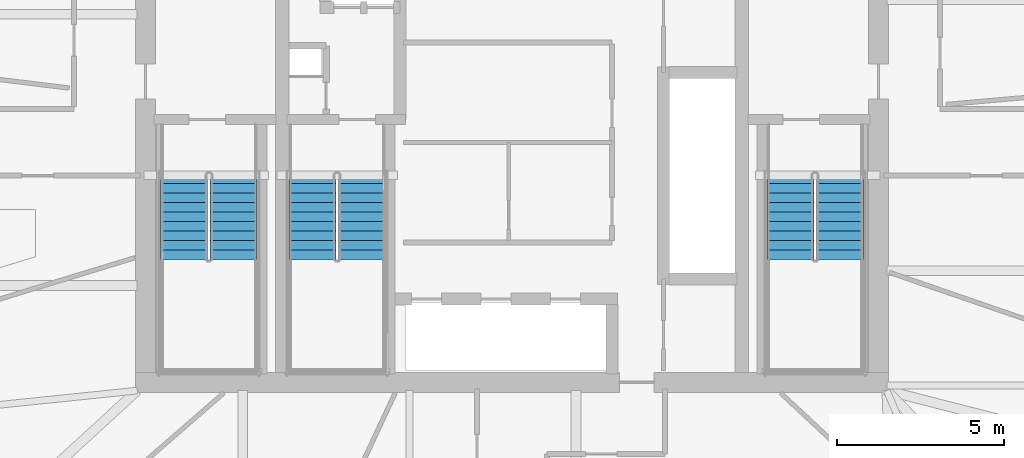
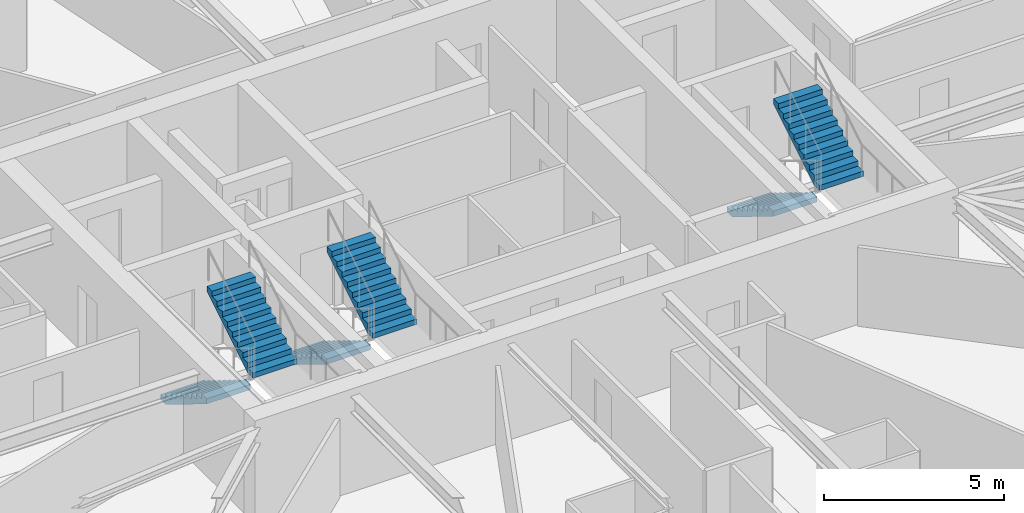
# One storey, part 17 of 20: 6 stair flights, 3 elements without a shape of their own.
"""IFC4 building model written with IfcOpenShell, lengths in metres."""

from ifc_helpers import new_model, si_unit, direction, frame, origin, place, context, subcontext, project, spatial, polyline, outline, extrude, material, type_object, element, aggregate, save


model = new_model("IFC4")

# Units and contexts
model_context = context("Model", 3, precision=1e-05, world=origin(), true_north=direction((0.0, 1.0)))
body_context = subcontext(model_context, "Body", "Model", "MODEL_VIEW")
ifc_project = project(units=[si_unit("LENGTHUNIT", "METRE"), si_unit("AREAUNIT", "SQUARE_METRE"), si_unit("VOLUMEUNIT", "CUBIC_METRE"), si_unit("PLANEANGLEUNIT", "RADIAN"), si_unit("MASSUNIT", "GRAM", prefix="KILO")], contexts=[model_context])

# Site, building, storey
site_placement = place(None, origin())
site = spatial("IfcSite", under=ifc_project, at=site_placement, CompositionType="ELEMENT")
building_placement = place(site_placement, origin())
building = spatial("IfcBuilding", under=site, at=building_placement, Name="Bramvorn Convention Spire", CompositionType="ELEMENT")
storey_placement = place(building_placement, frame((0.0, 0.0, 106.300048828125)))
storey = spatial("IfcBuildingStorey", under=building, at=storey_placement, Name="L25", CompositionType="ELEMENT", Elevation=106.300048828125)

# Stair, stair flights
ifc_material_1 = material(Name="Concrete C40/50 Precast Stair", Category="concrete")
stair_type = type_object("IfcStairType", Name="ST-TOWER-1550", PredefinedType="HALF_TURN_STAIR", material=ifc_material_1)
stair_1_placement = place(storey_placement, origin())
stair_1 = element("IfcStair", 1, at=stair_1_placement, inside=storey, type_object=stair_type, Name="L25 Protected Exit Stair ST1", PredefinedType="HALF_TURN_STAIR")
ifc_material_2 = material(Name="Concrete C40/50 Precast Stair Flight", Category="concrete")
stair_flight_type = type_object("IfcStairFlightType", Name="STF-TOWER-1550", PredefinedType="STRAIGHT", material=ifc_material_2)
stair_flight_1_placement = place(storey_placement, frame((28.155029296875, 25.050048828125, 0.0), z_axis=(0.0, 0.0, 1.0), x_axis=(0.0, -1.0, 0.0)))
stair_flight_1 = element("IfcStairFlight", 2, at=stair_flight_1_placement, type_object=stair_flight_type, Name="ST1 flight 1", NumberOfRisers=10, NumberOfTreads=9, PredefinedType="STRAIGHT", RiserHeight=0.175, TreadLength=0.285, context=body_context, shape_type="SweptSolid", body=[
    extrude(outline(polyline([(0.0, 0.0), (0.0, 0.175048828125), (0.284912109375, 0.175048828125), (0.284912109375, 0.35009765625), (0.570068359375, 0.35009765625), (0.570068359375, 0.52490234375), (0.85498046875, 0.52490234375), (0.85498046875, 0.699951171875), (1.139892578125, 0.699951171875), (1.139892578125, 0.875), (1.425048828125, 0.875), (1.425048828125, 1.050048828125), (1.7099609375, 1.050048828125), (1.7099609375, 1.22509765625), (1.9951171875, 1.22509765625), (1.9951171875, 1.39990234375), (2.280029296875, 1.39990234375), (2.280029296875, 1.574951171875), (2.56494140625, 1.574951171875), (2.56494140625, 1.75), (2.56494140625, 1.399169921875), (0.286376953125, 0.0), (0.0, 0.0)])), frame((0.0, 0.705078125, 0.0), z_axis=(0.0, -1.0, 0.0), x_axis=(1.0, 0.0, 0.0)), (0.0, 0.0, 1.0), 1.409912109375),
])
stair_flight_2_placement = place(storey_placement, frame((29.64501953125, 22.485107421875, 1.75), z_axis=(0.0, 0.0, 1.0), x_axis=(0.0, 1.0, 0.0)))
stair_flight_2 = element("IfcStairFlight", 3, at=stair_flight_2_placement, type_object=stair_flight_type, Name="ST1 flight 2", NumberOfRisers=10, NumberOfTreads=9, PredefinedType="STRAIGHT", RiserHeight=0.175, TreadLength=0.285, context=body_context, shape_type="SweptSolid", body=[
    extrude(outline(polyline([(0.0, 0.0), (0.0, 0.175048828125), (0.284912109375, 0.175048828125), (0.284912109375, 0.35009765625), (0.570068359375, 0.35009765625), (0.570068359375, 0.52490234375), (0.85498046875, 0.52490234375), (0.85498046875, 0.699951171875), (1.139892578125, 0.699951171875), (1.139892578125, 0.875), (1.425048828125, 0.875), (1.425048828125, 1.050048828125), (1.7099609375, 1.050048828125), (1.7099609375, 1.22509765625), (1.9951171875, 1.22509765625), (1.9951171875, 1.39990234375), (2.280029296875, 1.39990234375), (2.280029296875, 1.574951171875), (2.56494140625, 1.574951171875), (2.56494140625, 1.75), (2.56494140625, 1.399169921875), (0.286376953125, 0.0), (0.0, 0.0)])), frame((0.0, 0.705078125, 0.0), z_axis=(0.0, -1.0, 0.0), x_axis=(1.0, 0.0, 0.0)), (0.0, 0.0, 1.0), 1.409912109375),
])
aggregate(stair_1, [stair_flight_1, stair_flight_2])

stair_2_placement = place(storey_placement, origin())
stair_2 = element("IfcStair", 4, at=stair_2_placement, inside=storey, type_object=stair_type, Name="L25 Protected Exit Stair ST2", PredefinedType="HALF_TURN_STAIR")
stair_flight_3_placement = place(storey_placement, frame((46.35498046875, 25.050048828125, 0.0), z_axis=(0.0, 0.0, 1.0), x_axis=(0.0, -1.0, 0.0)))
stair_flight_3 = element("IfcStairFlight", 5, at=stair_flight_3_placement, type_object=stair_flight_type, Name="ST2 flight 1", NumberOfRisers=10, NumberOfTreads=9, PredefinedType="STRAIGHT", RiserHeight=0.175, TreadLength=0.285, context=body_context, shape_type="SweptSolid", body=[
    extrude(outline(polyline([(0.0, 0.0), (0.0, 0.175048828125), (0.284912109375, 0.175048828125), (0.284912109375, 0.35009765625), (0.570068359375, 0.35009765625), (0.570068359375, 0.52490234375), (0.85498046875, 0.52490234375), (0.85498046875, 0.699951171875), (1.139892578125, 0.699951171875), (1.139892578125, 0.875), (1.425048828125, 0.875), (1.425048828125, 1.050048828125), (1.7099609375, 1.050048828125), (1.7099609375, 1.22509765625), (1.9951171875, 1.22509765625), (1.9951171875, 1.39990234375), (2.280029296875, 1.39990234375), (2.280029296875, 1.574951171875), (2.56494140625, 1.574951171875), (2.56494140625, 1.75), (2.56494140625, 1.399169921875), (0.286376953125, 0.0), (0.0, 0.0)])), frame((0.0, 0.705078125, 0.0), z_axis=(0.0, -1.0, 0.0), x_axis=(1.0, 0.0, 0.0)), (0.0, 0.0, 1.0), 1.409912109375),
])
stair_flight_4_placement = place(storey_placement, frame((47.844970703125, 22.485107421875, 1.75), z_axis=(0.0, 0.0, 1.0), x_axis=(0.0, 1.0, 0.0)))
stair_flight_4 = element("IfcStairFlight", 6, at=stair_flight_4_placement, type_object=stair_flight_type, Name="ST2 flight 2", NumberOfRisers=10, NumberOfTreads=9, PredefinedType="STRAIGHT", RiserHeight=0.175, TreadLength=0.285, context=body_context, shape_type="SweptSolid", body=[
    extrude(outline(polyline([(0.0, 0.0), (0.0, 0.175048828125), (0.284912109375, 0.175048828125), (0.284912109375, 0.35009765625), (0.570068359375, 0.35009765625), (0.570068359375, 0.52490234375), (0.85498046875, 0.52490234375), (0.85498046875, 0.699951171875), (1.139892578125, 0.699951171875), (1.139892578125, 0.875), (1.425048828125, 0.875), (1.425048828125, 1.050048828125), (1.7099609375, 1.050048828125), (1.7099609375, 1.22509765625), (1.9951171875, 1.22509765625), (1.9951171875, 1.39990234375), (2.280029296875, 1.39990234375), (2.280029296875, 1.574951171875), (2.56494140625, 1.574951171875), (2.56494140625, 1.75), (2.56494140625, 1.399169921875), (0.286376953125, 0.0), (0.0, 0.0)])), frame((0.0, 0.705078125, 0.0), z_axis=(0.0, -1.0, 0.0), x_axis=(1.0, 0.0, 0.0)), (0.0, 0.0, 1.0), 1.409912109375),
])
aggregate(stair_2, [stair_flight_3, stair_flight_4])

stair_3_placement = place(storey_placement, origin())
stair_3 = element("IfcStair", 7, at=stair_3_placement, inside=storey, type_object=stair_type, Name="L25 Protected Exit Stair ST3", PredefinedType="HALF_TURN_STAIR")
stair_flight_5_placement = place(storey_placement, frame((32.0048828125, 25.050048828125, 0.0), z_axis=(0.0, 0.0, 1.0), x_axis=(0.0, -1.0, 0.0)))
stair_flight_5 = element("IfcStairFlight", 8, at=stair_flight_5_placement, type_object=stair_flight_type, Name="ST3 flight 1", NumberOfRisers=10, NumberOfTreads=9, PredefinedType="STRAIGHT", RiserHeight=0.175, TreadLength=0.285, context=body_context, shape_type="SweptSolid", body=[
    extrude(outline(polyline([(0.0, 0.0), (0.0, 0.175048828125), (0.284912109375, 0.175048828125), (0.284912109375, 0.35009765625), (0.570068359375, 0.35009765625), (0.570068359375, 0.52490234375), (0.85498046875, 0.52490234375), (0.85498046875, 0.699951171875), (1.139892578125, 0.699951171875), (1.139892578125, 0.875), (1.425048828125, 0.875), (1.425048828125, 1.050048828125), (1.7099609375, 1.050048828125), (1.7099609375, 1.22509765625), (1.9951171875, 1.22509765625), (1.9951171875, 1.39990234375), (2.280029296875, 1.39990234375), (2.280029296875, 1.574951171875), (2.56494140625, 1.574951171875), (2.56494140625, 1.75), (2.56494140625, 1.399169921875), (0.286376953125, 0.0), (0.0, 0.0)])), frame((0.0, 0.705078125, 0.0), z_axis=(0.0, -1.0, 0.0), x_axis=(1.0, 0.0, 0.0)), (0.0, 0.0, 1.0), 1.409912109375),
])
stair_flight_6_placement = place(storey_placement, frame((33.4951171875, 22.485107421875, 1.75), z_axis=(0.0, 0.0, 1.0), x_axis=(0.0, 1.0, 0.0)))
stair_flight_6 = element("IfcStairFlight", 9, at=stair_flight_6_placement, type_object=stair_flight_type, Name="ST3 flight 2", NumberOfRisers=10, NumberOfTreads=9, PredefinedType="STRAIGHT", RiserHeight=0.175, TreadLength=0.285, context=body_context, shape_type="SweptSolid", body=[
    extrude(outline(polyline([(0.0, 0.0), (0.0, 0.175048828125), (0.284912109375, 0.175048828125), (0.284912109375, 0.35009765625), (0.570068359375, 0.35009765625), (0.570068359375, 0.52490234375), (0.85498046875, 0.52490234375), (0.85498046875, 0.699951171875), (1.139892578125, 0.699951171875), (1.139892578125, 0.875), (1.425048828125, 0.875), (1.425048828125, 1.050048828125), (1.7099609375, 1.050048828125), (1.7099609375, 1.22509765625), (1.9951171875, 1.22509765625), (1.9951171875, 1.39990234375), (2.280029296875, 1.39990234375), (2.280029296875, 1.574951171875), (2.56494140625, 1.574951171875), (2.56494140625, 1.75), (2.56494140625, 1.399169921875), (0.286376953125, 0.0), (0.0, 0.0)])), frame((0.0, 0.705078125, 0.0), z_axis=(0.0, -1.0, 0.0), x_axis=(1.0, 0.0, 0.0)), (0.0, 0.0, 1.0), 1.409912109375),
])
aggregate(stair_3, [stair_flight_5, stair_flight_6])

save(model, "model.ifc")
